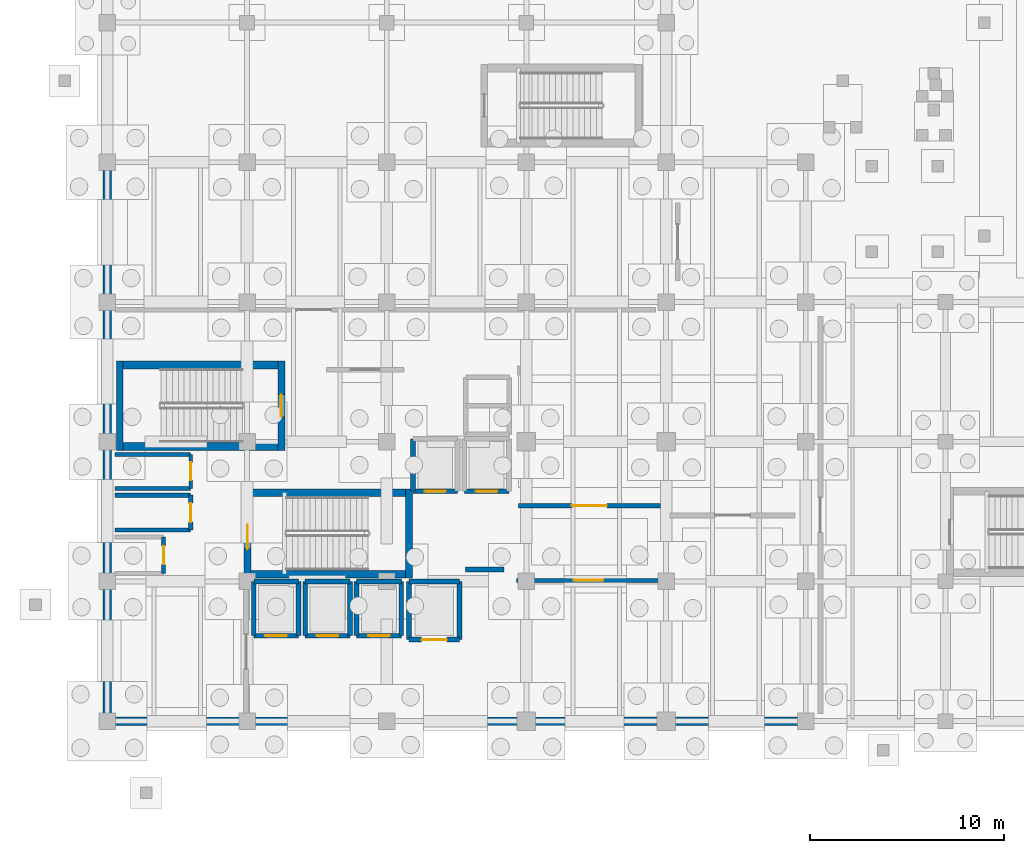
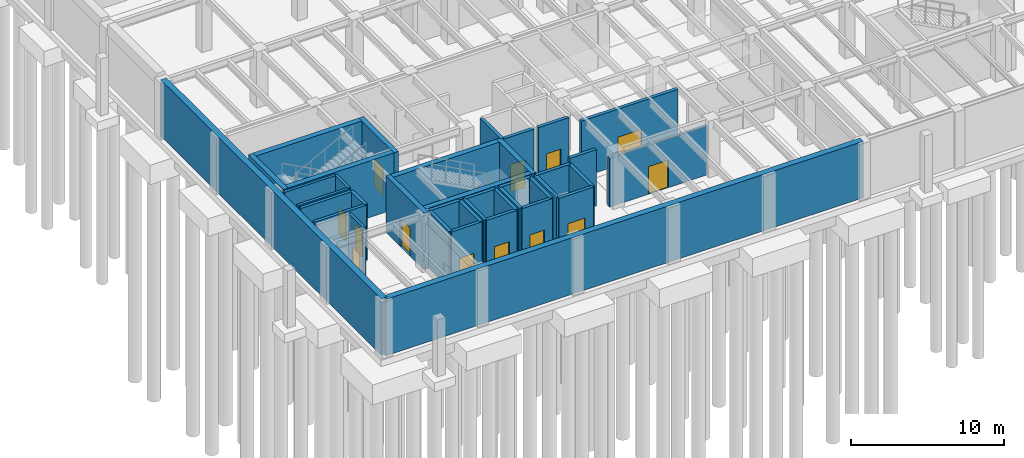
# One storey, part 13 of 26: 39 walls, 13 doors, 13 openings.
"""IFC4 building model written with IfcOpenShell, lengths in metres."""

import ifcopenshell
import ifcopenshell.guid

model = None  # the IFC model being written
_history = None  # IfcOwnerHistory: only IFC2X3 demands one
_inside = {}  # id of a spatial element -> (the spatial element, [elements in it])
_under = {}  # id of a project, library or spatial element -> (it, [spatial elements below it])
_declared = {}  # id of a project -> (the project, [libraries it declares])
_typed = {}  # id of a type object -> (the type object, [elements of that type])
_made_of = {}  # id of a material, layer set ... -> (it, [elements and type objects made of it])


def new_model(schema):
    """Start an empty IFC model of exactly this schema.

    Asked for "IFC4X3", IfcOpenShell would pick the latest addendum, in which some entities
    have other attributes; the version numbers below select the first issue.
    IFC2X3 requires an IfcOwnerHistory on every rooted entity: one is made here for all.
    """
    global model, _history
    if schema == "IFC4X3":
        model = ifcopenshell.file(schema_version=(4, 3, 0, 0))
    else:
        model = ifcopenshell.file(schema=schema)
    _inside.clear()
    _under.clear()
    _declared.clear()
    _typed.clear()
    _made_of.clear()
    _history = None
    if model.schema == "IFC2X3":
        org = make("IfcOrganization", Name="unknown")
        user = make(
            "IfcPersonAndOrganization",
            ThePerson=make("IfcPerson", FamilyName="unknown"),
            TheOrganization=org,
        )
        app = make(
            "IfcApplication",
            ApplicationDeveloper=org,
            Version="unknown",
            ApplicationFullName="unknown",
            ApplicationIdentifier="unknown",
        )
        _history = make(
            "IfcOwnerHistory",
            OwningUser=user,
            OwningApplication=app,
            ChangeAction="ADDED",
            CreationDate=0,
        )
    return model


def make(cls, **values):
    """One entity of the class cls with the attributes given. An attribute that is None is left unset."""
    return model.create_entity(
        cls, **{name: value for name, value in values.items() if value is not None}
    )


def rooted(cls, **values):
    """An entity with a GlobalId (a new one), such as an element, a storey or a relation."""
    return make(cls, GlobalId=ifcopenshell.guid.new(), OwnerHistory=_history, **values)


def si_unit(unit_type, name, prefix=None):
    """IfcSIUnit, for example si_unit("LENGTHUNIT", "METRE", prefix="MILLI")."""
    return make("IfcSIUnit", UnitType=unit_type, Prefix=prefix, Name=name)


def assignment(units):
    """IfcUnitAssignment: the units of a project."""
    return None if units is None else make("IfcUnitAssignment", Units=units)


def point(xyz):
    """IfcCartesianPoint."""
    return None if xyz is None else make("IfcCartesianPoint", Coordinates=xyz)


def direction(xyz):
    """IfcDirection."""
    return None if xyz is None else make("IfcDirection", DirectionRatios=xyz)


def frame(location, z_axis=None, x_axis=None):
    """IfcAxis2Placement3D, a coordinate frame: its origin and axes. An axis left out is left unset."""
    return make(
        "IfcAxis2Placement3D",
        Location=point(location),
        Axis=direction(z_axis),
        RefDirection=direction(x_axis),
    )


def frame_2d(location, x_axis=None):
    """IfcAxis2Placement2D, a coordinate frame in the plane: its origin and x axis."""
    return make(
        "IfcAxis2Placement2D", Location=point(location), RefDirection=direction(x_axis)
    )


def origin():
    """The frame at (0, 0, 0) with its axes left unset."""
    return frame((0.0, 0.0, 0.0))


def place(relative_to, where):
    """IfcLocalPlacement: puts the frame where relative to a parent placement (None: the world)."""
    return make(
        "IfcLocalPlacement", PlacementRelTo=relative_to, RelativePlacement=where
    )


def context(
    kind, dimensions, precision=None, world=None, true_north=None, identifier=None
):
    """IfcGeometricRepresentationContext, for example the 3D "Model" context."""
    return make(
        "IfcGeometricRepresentationContext",
        ContextIdentifier=identifier,
        ContextType=kind,
        CoordinateSpaceDimension=dimensions,
        Precision=precision,
        WorldCoordinateSystem=world,
        TrueNorth=true_north,
    )


def subcontext(parent, identifier, kind, view, scale=None):
    """IfcGeometricRepresentationSubContext, for example "Body" below "Model"."""
    return make(
        "IfcGeometricRepresentationSubContext",
        ContextIdentifier=identifier,
        ContextType=kind,
        ParentContext=parent,
        TargetScale=scale,
        TargetView=view,
    )


def project(units=None, contexts=None):
    """IfcProject with its units and contexts."""
    return rooted(
        "IfcProject",
        Name="project",
        RepresentationContexts=contexts,
        UnitsInContext=assignment(units),
    )


def spatial(cls, under=None, at=None, **own):
    """A site, building, storey or space (cls), placed at a placement, below another one or the project."""
    s = rooted(cls, ObjectPlacement=at, **own)
    if under is not None:
        _under.setdefault(under.id(), (under, []))[1].append(s)
    return s


def profile(cls, at=None, kind="AREA", **sizes):
    """A parametric profile (cls). Its sizes go by their IFC names, for example OverallWidth=200.0."""
    return make(cls, ProfileType=kind, Position=at, **sizes)


def rectangle(**sizes):
    """IfcRectangleProfileDef."""
    return profile("IfcRectangleProfileDef", **sizes)


def extrude(swept, where, along, depth):
    """IfcExtrudedAreaSolid: the profile swept, set in the frame where, extruded along a direction by depth."""
    return make(
        "IfcExtrudedAreaSolid",
        SweptArea=swept,
        Position=where,
        ExtrudedDirection=direction(along),
        Depth=depth,
    )


def shape(context_of_items, identifier, shape_type, items):
    """IfcShapeRepresentation: the items that make up one representation, for example the "Body"."""
    return make(
        "IfcShapeRepresentation",
        ContextOfItems=context_of_items,
        RepresentationIdentifier=identifier,
        RepresentationType=shape_type,
        Items=items,
    )


def material(Name=None, Category=None):
    """IfcMaterial."""
    return make("IfcMaterial", Name=Name, Category=Category)


def layer(
    of_material, thickness, ventilated=None, Name=None, Category=None, Priority=None
):
    """IfcMaterialLayer: one layer of a wall or slab, of a material (None: an air gap)."""
    return make(
        "IfcMaterialLayer",
        Material=of_material,
        LayerThickness=thickness,
        IsVentilated=ventilated,
        Name=Name,
        Category=Category,
        Priority=Priority,
    )


def layer_set(layers, Name=None):
    """IfcMaterialLayerSet."""
    return make("IfcMaterialLayerSet", MaterialLayers=layers, LayerSetName=Name)


def made_of(thing, what):
    """Note that an element or type object is made of a material, layer set ...; save() writes the relation."""
    if what is not None:
        _made_of.setdefault(what.id(), (what, []))[1].append(thing)
    return thing


def type_object(cls, material=None, **own):
    """A type object (cls), such as IfcWallType, which elements share."""
    return made_of(rooted(cls, **own), material)


def element(
    cls,
    number,
    at=None,
    inside=None,
    cuts=None,
    type_object=None,
    material=None,
    context=None,
    identifier="Body",
    shape_type=None,
    held_by="IfcProductDefinitionShape",
    body=None,
    shapes=None,
    **own,
):
    """One element of the class cls, such as IfcWall. Its Tag is "e" and its number.

    at: its placement. inside: the storey or other place that contains it. cuts: it is an
    opening in that element (IfcRelVoidsElement). A single representation is given by context,
    identifier, shape_type and body (its items); several are given by shapes. held_by: the class
    of the entity that holds the representations. save() writes the other relations.
    """
    e = rooted(cls, Tag="e%d" % number, ObjectPlacement=at, **own)
    if body is not None:
        shapes = [shape(context, identifier, shape_type, body)]
    if shapes is not None:
        e.Representation = make(held_by, Representations=shapes)
    if inside is not None:
        _inside.setdefault(inside.id(), (inside, []))[1].append(e)
    if cuts is not None:
        rooted(
            "IfcRelVoidsElement", RelatingBuildingElement=cuts, RelatedOpeningElement=e
        )
    if type_object is not None:
        _typed.setdefault(type_object.id(), (type_object, []))[1].append(e)
    return made_of(e, material)


def fill(opening, filler):
    """IfcRelFillsElement: the door or window that sits in an opening."""
    return rooted(
        "IfcRelFillsElement",
        RelatingOpeningElement=opening,
        RelatedBuildingElement=filler,
    )


def aggregate(whole, parts):
    """IfcRelAggregates: a whole, such as a stair, and the parts it consists of."""
    return rooted("IfcRelAggregates", RelatingObject=whole, RelatedObjects=parts)


def save(model, path):
    """Write the relations noted so far, then the file.

    IfcRelAggregates (storeys below a building ...), IfcRelContainedInSpatialStructure (elements
    in a storey), IfcRelDefinesByType, IfcRelAssociatesMaterial and IfcRelDeclares: one each for
    every whole, place, type object, material and project.
    """
    for whole, parts in _under.values():
        aggregate(whole, parts)
    for where, things in _inside.values():
        rooted(
            "IfcRelContainedInSpatialStructure",
            RelatedElements=things,
            RelatingStructure=where,
        )
    for kind, things in _typed.values():
        rooted("IfcRelDefinesByType", RelatedObjects=things, RelatingType=kind)
    for what, things in _made_of.values():
        rooted("IfcRelAssociatesMaterial", RelatedObjects=things, RelatingMaterial=what)
    for by, libraries in _declared.values():
        rooted("IfcRelDeclares", RelatingContext=by, RelatedDefinitions=libraries)
    model.write(path)


model = new_model("IFC4")

# Units and contexts
model_context = context("Model", 3, precision=1e-05, world=origin(), true_north=direction((0.0, 1.0)))
body_context = subcontext(model_context, "Body", "Model", "MODEL_VIEW")
ifc_project = project(units=[si_unit("LENGTHUNIT", "METRE"), si_unit("AREAUNIT", "SQUARE_METRE"), si_unit("VOLUMEUNIT", "CUBIC_METRE"), si_unit("PLANEANGLEUNIT", "RADIAN"), si_unit("MASSUNIT", "GRAM", prefix="KILO")], contexts=[model_context])

# Site, building, storey
site_placement = place(None, origin())
site = spatial("IfcSite", under=ifc_project, at=site_placement, CompositionType="ELEMENT")
building_placement = place(site_placement, origin())
building = spatial("IfcBuilding", under=site, at=building_placement, Name="Kandorven Conservatory and Botanical Research Centre", CompositionType="ELEMENT")
storey_placement = place(building_placement, frame((0.0, 0.0, -4.800048828125)))
storey = spatial("IfcBuildingStorey", under=building, at=storey_placement, Name="B01", CompositionType="ELEMENT", Elevation=-4.800048828125)

# Walls
ifc_material_1 = material(Name="Concrete C40/50 (M50)", Category="concrete")
ifc_layer_1 = layer(ifc_material_1, 0.39990234375)
ifc_layer_set_1 = layer_set([ifc_layer_1], Name="Concrete C40/50 (M50)")
wall_type_1 = type_object("IfcWallType", Name="Wall_CW-RC-1", PredefinedType="SHEAR", material=ifc_layer_set_1)
for number, where, z_axis, x_axis, name in (
    (1, (13.39990234375, 13.574951171875, 0.0), (0.0, 0.0, 1.0), (1.0, 0.0, 0.0), "Core stair shear wall CW-RC-1 ST-T1 B01 side A"),
    (2, (13.39990234375, 17.77490234375, 0.0), (0.0, 0.0, 1.0), (1.0, 0.0, 0.0), "Core stair shear wall CW-RC-1 ST-T1 B01 side B"),
    (3, (14.800048828125, 24.35498046875, 0.0), (0.0, 0.0, 1.0), (-1.0, 0.0, 0.0), "Core stair shear wall CW-RC-1 ST-T2 B01 side A"),
    (4, (14.800048828125, 20.155029296875, 0.0), (0.0, 0.0, 1.0), (-1.0, 0.0, 0.0), "Core stair shear wall CW-RC-1 ST-T2 B01 side B"),
):
    element("IfcWall", number, at=place(storey_placement, frame(where, z_axis=z_axis, x_axis=x_axis)), inside=storey, type_object=wall_type_1, Name=name, PredefinedType="SHEAR", context=body_context, shape_type="SweptSolid", body=[
        extrude(rectangle(XDim=7.97998046875, YDim=0.39990234375, at=frame_2d((3.989990234375, 0.0))), origin(), (0.0, 0.0, 1.0), 4.5),
    ])

# Wall, opening, door
ifc_material_2 = material(Name="Concrete C40/50 (M50)", Category="concrete")
ifc_layer_2 = layer(ifc_material_2, 0.35009765625)
ifc_layer_set_2 = layer_set([ifc_layer_2], Name="Concrete C40/50 (M50)")
wall_type_2 = type_object("IfcWallType", Name="Wall_CW-RC-2", PredefinedType="SHEAR", material=ifc_layer_set_2)
wall_1_placement = place(storey_placement, frame((13.22509765625, 13.0, 0.0), z_axis=(0.0, 0.0, 1.0), x_axis=(0.0, 1.0, 0.0)))
wall_1 = element("IfcWall", 5, at=wall_1_placement, inside=storey, type_object=wall_type_2, Name="Core stair shear wall CW-RC-2 ST-T1 B01 entry", PredefinedType="SHEAR", context=body_context, shape_type="SweptSolid", body=[
    extrude(rectangle(XDim=4.969970703125, YDim=0.35009765625, at=frame_2d((2.48486328125, 0.0))), origin(), (0.0, 0.0, 1.0), 4.5),
])
opening_1_placement = place(wall_1_placement, frame((1.860107421875, 0.0, 0.0)))
opening_1 = element("IfcOpeningElement", 6, at=opening_1_placement, cuts=wall_1, Name="Opening FD-1", PredefinedType="OPENING", context=body_context, shape_type="SweptSolid", body=[
    extrude(rectangle(XDim=1.25, YDim=2.199951171875, at=frame_2d((0.625, 1.10009765625))), frame((0.0, 0.18505859375, 0.0), z_axis=(0.0, -1.0, 0.0), x_axis=(1.0, 0.0, 0.0)), (0.0, 0.0, 1.0), 0.3701171875),
])
ifc_material_3 = material(Name="Galvanised hollow steel fire door assembly", Category="steel")
door_type_1 = type_object("IfcDoorType", Name="Door_FD-1", OperationType="NOTDEFINED", PredefinedType="DOOR", material=ifc_material_3)
door_1_placement = place(opening_1_placement, origin())
door_1 = element("IfcDoor", 7, at=door_1_placement, inside=storey, type_object=door_type_1, Name="Exit stair fire door FD-1 ST-T1 B01", OperationType="SINGLE_SWING_RIGHT", OverallHeight=2.199951171875, OverallWidth=1.25, PredefinedType="DOOR", context=body_context, shape_type="SweptSolid", body=[
    extrude(rectangle(XDim=1.25, YDim=2.199951171875, at=frame_2d((0.625, 1.10009765625))), frame((0.0, 0.02490234375, 0.0), z_axis=(0.0, -1.0, 0.0), x_axis=(1.0, 0.0, 0.0)), (0.0, 0.0, 1.0), 0.050048828125),
])
fill(opening_1, door_1)

# Wall
wall_2_placement = place(storey_placement, frame((21.554931640625, 13.3798828125, 0.0), z_axis=(0.0, 0.0, 1.0), x_axis=(0.0, 1.0, 0.0)))
element("IfcWall", 8, at=wall_2_placement, inside=storey, type_object=wall_type_2, Name="Core stair shear wall CW-RC-2 ST-T1 B01 far", PredefinedType="SHEAR", context=body_context, shape_type="SweptSolid", body=[
    extrude(rectangle(XDim=4.590087890625, YDim=0.35009765625, at=frame_2d((2.294921875, 0.0))), origin(), (0.0, 0.0, 1.0), 4.5),
])

# Wall, opening, door
wall_3_placement = place(storey_placement, frame((14.97509765625, 24.550048828125, 0.0), z_axis=(0.0, 0.0, 1.0), x_axis=(0.0, -1.0, 0.0)))
wall_3 = element("IfcWall", 9, at=wall_3_placement, inside=storey, type_object=wall_type_2, Name="Core stair shear wall CW-RC-2 ST-T2 B01 entry", PredefinedType="SHEAR", context=body_context, shape_type="SweptSolid", body=[
    extrude(rectangle(XDim=4.590087890625, YDim=0.35009765625, at=frame_2d((2.294921875, 0.0))), origin(), (0.0, 0.0, 1.0), 4.5),
])
opening_2_placement = place(wall_3_placement, frame((1.719970703125, 0.0, 0.0)))
opening_2 = element("IfcOpeningElement", 10, at=opening_2_placement, cuts=wall_3, Name="Opening FD-2", PredefinedType="OPENING", context=body_context, shape_type="SweptSolid", body=[
    extrude(rectangle(XDim=1.14990234375, YDim=2.199951171875, at=frame_2d((0.574951171875, 1.10009765625))), frame((0.0, 0.18505859375, 0.0), z_axis=(0.0, -1.0, 0.0), x_axis=(1.0, 0.0, 0.0)), (0.0, 0.0, 1.0), 0.3701171875),
])
ifc_material_4 = material(Name="Galvanised hollow steel fire door assembly", Category="steel")
door_type_2 = type_object("IfcDoorType", Name="Door_FD-2", OperationType="NOTDEFINED", PredefinedType="DOOR", material=ifc_material_4)
door_2_placement = place(opening_2_placement, origin())
door_2 = element("IfcDoor", 11, at=door_2_placement, inside=storey, type_object=door_type_2, Name="Exit stair fire door FD-2 ST-T2 B01", OperationType="SINGLE_SWING_RIGHT", OverallHeight=2.199951171875, OverallWidth=1.14990234375, PredefinedType="DOOR", context=body_context, shape_type="SweptSolid", body=[
    extrude(rectangle(XDim=1.14990234375, YDim=2.199951171875, at=frame_2d((0.574951171875, 1.10009765625))), frame((0.0, 0.02490234375, 0.0), z_axis=(0.0, -1.0, 0.0), x_axis=(1.0, 0.0, 0.0)), (0.0, 0.0, 1.0), 0.050048828125),
])
fill(opening_2, door_2)

# Wall
wall_4_placement = place(storey_placement, frame((6.64501953125, 24.550048828125, 0.0), z_axis=(0.0, 0.0, 1.0), x_axis=(0.0, -1.0, 0.0)))
element("IfcWall", 12, at=wall_4_placement, inside=storey, type_object=wall_type_2, Name="Core stair shear wall CW-RC-2 ST-T2 B01 far", PredefinedType="SHEAR", context=body_context, shape_type="SweptSolid", body=[
    extrude(rectangle(XDim=4.590087890625, YDim=0.35009765625, at=frame_2d((2.294921875, 0.0))), origin(), (0.0, 0.0, 1.0), 4.5),
])

# Wall, opening, door
wall_5_placement = place(storey_placement, frame((21.75, 17.85009765625, 0.0), z_axis=(0.0, 0.0, 1.0), x_axis=(1.0, 0.0, 0.0)))
wall_5 = element("IfcWall", 13, at=wall_5_placement, inside=storey, type_object=wall_type_2, Name="Lift shaft wall FFL-1 B01 S", PredefinedType="SHEAR", context=body_context, shape_type="SweptSolid", body=[
    extrude(rectangle(XDim=2.300048828125, YDim=0.25, at=frame_2d((1.14990234375, 0.0))), origin(), (0.0, 0.0, 1.0), 4.5),
])
opening_3_placement = place(wall_5_placement, frame((0.60009765625, 0.0, 0.0)))
opening_3 = element("IfcOpeningElement", 14, at=opening_3_placement, cuts=wall_5, Name="Opening LD-01", PredefinedType="OPENING", context=body_context, shape_type="SweptSolid", body=[
    extrude(rectangle(XDim=1.10009765625, YDim=2.199951171875, at=frame_2d((0.550048828125, 1.10009765625))), frame((0.0, 0.135009765625, 0.0), z_axis=(0.0, -1.0, 0.0), x_axis=(1.0, 0.0, 0.0)), (0.0, 0.0, 1.0), 0.27001953125),
])
ifc_material_5 = material(Name="Anodised aluminium sliding landing door", Category="aluminium")
door_type_3 = type_object("IfcDoorType", Name="Door_LD-01", OperationType="DOUBLE_DOOR_SLIDING", PredefinedType="DOOR", material=ifc_material_5)
door_3_placement = place(opening_3_placement, origin())
door_3 = element("IfcDoor", 15, at=door_3_placement, inside=storey, type_object=door_type_3, Name="Lift landing sliding door LD-01 (FFL-1 B01)", OperationType="DOUBLE_DOOR_SLIDING", OverallHeight=2.199951171875, OverallWidth=1.10009765625, PredefinedType="DOOR", context=body_context, shape_type="SweptSolid", body=[
    extrude(rectangle(XDim=1.10009765625, YDim=2.199951171875, at=frame_2d((0.550048828125, 1.10009765625))), frame((0.0, 0.02490234375, 0.0), z_axis=(0.0, -1.0, 0.0), x_axis=(1.0, 0.0, 0.0)), (0.0, 0.0, 1.0), 0.050048828125),
])
fill(opening_3, door_3)

# Wall
wall_6_placement = place(storey_placement, frame((21.75, 17.85009765625, 0.0), z_axis=(0.0, 0.0, 1.0), x_axis=(0.0, 1.0, 0.0)))
element("IfcWall", 16, at=wall_6_placement, inside=storey, type_object=wall_type_2, Name="Lift shaft wall FFL-1 B01 W", PredefinedType="SHEAR", context=body_context, shape_type="SweptSolid", body=[
    extrude(rectangle(XDim=2.699951171875, YDim=0.25, at=frame_2d((1.35009765625, 0.0))), origin(), (0.0, 0.0, 1.0), 4.5),
])

# Wall, opening, door
wall_7_placement = place(storey_placement, frame((24.39990234375, 17.85009765625, 0.0), z_axis=(0.0, 0.0, 1.0), x_axis=(1.0, 0.0, 0.0)))
wall_7 = element("IfcWall", 17, at=wall_7_placement, inside=storey, type_object=wall_type_2, Name="Lift shaft wall FFL-2 B01 S", PredefinedType="SHEAR", context=body_context, shape_type="SweptSolid", body=[
    extrude(rectangle(XDim=2.300048828125, YDim=0.25, at=frame_2d((1.14990234375, 0.0))), origin(), (0.0, 0.0, 1.0), 4.5),
])
opening_4_placement = place(wall_7_placement, frame((0.60009765625, 0.0, 0.0)))
opening_4 = element("IfcOpeningElement", 18, at=opening_4_placement, cuts=wall_7, Name="Opening LD-01", PredefinedType="OPENING", context=body_context, shape_type="SweptSolid", body=[
    extrude(rectangle(XDim=1.10009765625, YDim=2.199951171875, at=frame_2d((0.550048828125, 1.10009765625))), frame((0.0, 0.135009765625, 0.0), z_axis=(0.0, -1.0, 0.0), x_axis=(1.0, 0.0, 0.0)), (0.0, 0.0, 1.0), 0.27001953125),
])
door_4_placement = place(opening_4_placement, origin())
door_4 = element("IfcDoor", 19, at=door_4_placement, inside=storey, type_object=door_type_3, Name="Lift landing sliding door LD-01 (FFL-2 B01)", OperationType="DOUBLE_DOOR_SLIDING", OverallHeight=2.199951171875, OverallWidth=1.10009765625, PredefinedType="DOOR", context=body_context, shape_type="SweptSolid", body=[
    extrude(rectangle(XDim=1.10009765625, YDim=2.199951171875, at=frame_2d((0.550048828125, 1.10009765625))), frame((0.0, 0.02490234375, 0.0), z_axis=(0.0, -1.0, 0.0), x_axis=(1.0, 0.0, 0.0)), (0.0, 0.0, 1.0), 0.050048828125),
])
fill(opening_4, door_4)

wall_8_placement = place(storey_placement, frame((13.550048828125, 10.39990234375, 0.0), z_axis=(0.0, 0.0, 1.0), x_axis=(1.0, 0.0, 0.0)))
wall_8 = element("IfcWall", 20, at=wall_8_placement, inside=storey, type_object=wall_type_2, Name="Lift shaft wall PL-1 B01 S", PredefinedType="SHEAR", context=body_context, shape_type="SweptSolid", body=[
    extrude(rectangle(XDim=2.300048828125, YDim=0.25, at=frame_2d((1.14990234375, 0.0))), origin(), (0.0, 0.0, 1.0), 4.5),
])
opening_5_placement = place(wall_8_placement, frame((0.60009765625, 0.0, 0.0)))
opening_5 = element("IfcOpeningElement", 21, at=opening_5_placement, cuts=wall_8, Name="Opening LD-01", PredefinedType="OPENING", context=body_context, shape_type="SweptSolid", body=[
    extrude(rectangle(XDim=1.10009765625, YDim=2.199951171875, at=frame_2d((0.550048828125, 1.10009765625))), frame((0.0, 0.135009765625, 0.0), z_axis=(0.0, -1.0, 0.0), x_axis=(1.0, 0.0, 0.0)), (0.0, 0.0, 1.0), 0.27001953125),
])
door_5_placement = place(opening_5_placement, origin())
door_5 = element("IfcDoor", 22, at=door_5_placement, inside=storey, type_object=door_type_3, Name="Lift landing sliding door LD-01 (PL-1 B01)", OperationType="DOUBLE_DOOR_SLIDING", OverallHeight=2.199951171875, OverallWidth=1.10009765625, PredefinedType="DOOR", context=body_context, shape_type="SweptSolid", body=[
    extrude(rectangle(XDim=1.10009765625, YDim=2.199951171875, at=frame_2d((0.550048828125, 1.10009765625))), frame((0.0, 0.02490234375, 0.0), z_axis=(0.0, -1.0, 0.0), x_axis=(1.0, 0.0, 0.0)), (0.0, 0.0, 1.0), 0.050048828125),
])
fill(opening_5, door_5)

# Walls
wall_9_placement = place(storey_placement, frame((13.550048828125, 13.199951171875, 0.0), z_axis=(0.0, 0.0, 1.0), x_axis=(1.0, 0.0, 0.0)))
element("IfcWall", 23, at=wall_9_placement, inside=storey, type_object=wall_type_2, Name="Lift shaft wall PL-1 B01 N", PredefinedType="SHEAR", context=body_context, shape_type="SweptSolid", body=[
    extrude(rectangle(XDim=2.300048828125, YDim=0.25, at=frame_2d((1.14990234375, 0.0))), origin(), (0.0, 0.0, 1.0), 4.5),
])
for number, where, z_axis, x_axis, name in (
    (24, (13.550048828125, 10.39990234375, 0.0), (0.0, 0.0, 1.0), (0.0, 1.0, 0.0), "Lift shaft wall PL-1 B01 W"),
    (25, (15.85009765625, 10.39990234375, 0.0), (0.0, 0.0, 1.0), (0.0, 1.0, 0.0), "Lift shaft wall PL-1 B01 E"),
):
    element("IfcWall", number, at=place(storey_placement, frame(where, z_axis=z_axis, x_axis=x_axis)), inside=storey, type_object=wall_type_2, Name=name, PredefinedType="SHEAR", context=body_context, shape_type="SweptSolid", body=[
        extrude(rectangle(XDim=2.800048828125, YDim=0.25, at=frame_2d((1.39990234375, 0.0))), origin(), (0.0, 0.0, 1.0), 4.5),
    ])

# Wall, opening, door
wall_10_placement = place(storey_placement, frame((16.199951171875, 10.39990234375, 0.0), z_axis=(0.0, 0.0, 1.0), x_axis=(1.0, 0.0, 0.0)))
wall_10 = element("IfcWall", 26, at=wall_10_placement, inside=storey, type_object=wall_type_2, Name="Lift shaft wall PL-2 B01 S", PredefinedType="SHEAR", context=body_context, shape_type="SweptSolid", body=[
    extrude(rectangle(XDim=2.300048828125, YDim=0.25, at=frame_2d((1.14990234375, 0.0))), origin(), (0.0, 0.0, 1.0), 4.5),
])
opening_6_placement = place(wall_10_placement, frame((0.60009765625, 0.0, 0.0)))
opening_6 = element("IfcOpeningElement", 27, at=opening_6_placement, cuts=wall_10, Name="Opening LD-01", PredefinedType="OPENING", context=body_context, shape_type="SweptSolid", body=[
    extrude(rectangle(XDim=1.10009765625, YDim=2.199951171875, at=frame_2d((0.550048828125, 1.10009765625))), frame((0.0, 0.135009765625, 0.0), z_axis=(0.0, -1.0, 0.0), x_axis=(1.0, 0.0, 0.0)), (0.0, 0.0, 1.0), 0.27001953125),
])
door_6_placement = place(opening_6_placement, origin())
door_6 = element("IfcDoor", 28, at=door_6_placement, inside=storey, type_object=door_type_3, Name="Lift landing sliding door LD-01 (PL-2 B01)", OperationType="DOUBLE_DOOR_SLIDING", OverallHeight=2.199951171875, OverallWidth=1.10009765625, PredefinedType="DOOR", context=body_context, shape_type="SweptSolid", body=[
    extrude(rectangle(XDim=1.10009765625, YDim=2.199951171875, at=frame_2d((0.550048828125, 1.10009765625))), frame((0.0, 0.02490234375, 0.0), z_axis=(0.0, -1.0, 0.0), x_axis=(1.0, 0.0, 0.0)), (0.0, 0.0, 1.0), 0.050048828125),
])
fill(opening_6, door_6)

# Walls
wall_11_placement = place(storey_placement, frame((16.199951171875, 13.199951171875, 0.0), z_axis=(0.0, 0.0, 1.0), x_axis=(1.0, 0.0, 0.0)))
element("IfcWall", 29, at=wall_11_placement, inside=storey, type_object=wall_type_2, Name="Lift shaft wall PL-2 B01 N", PredefinedType="SHEAR", context=body_context, shape_type="SweptSolid", body=[
    extrude(rectangle(XDim=2.300048828125, YDim=0.25, at=frame_2d((1.14990234375, 0.0))), origin(), (0.0, 0.0, 1.0), 4.5),
])
for number, where, z_axis, x_axis, name in (
    (30, (16.199951171875, 10.39990234375, 0.0), (0.0, 0.0, 1.0), (0.0, 1.0, 0.0), "Lift shaft wall PL-2 B01 W"),
    (31, (18.5, 10.39990234375, 0.0), (0.0, 0.0, 1.0), (0.0, 1.0, 0.0), "Lift shaft wall PL-2 B01 E"),
):
    element("IfcWall", number, at=place(storey_placement, frame(where, z_axis=z_axis, x_axis=x_axis)), inside=storey, type_object=wall_type_2, Name=name, PredefinedType="SHEAR", context=body_context, shape_type="SweptSolid", body=[
        extrude(rectangle(XDim=2.800048828125, YDim=0.25, at=frame_2d((1.39990234375, 0.0))), origin(), (0.0, 0.0, 1.0), 4.5),
    ])

# Wall, opening, door
wall_12_placement = place(storey_placement, frame((18.85009765625, 10.39990234375, 0.0), z_axis=(0.0, 0.0, 1.0), x_axis=(1.0, 0.0, 0.0)))
wall_12 = element("IfcWall", 32, at=wall_12_placement, inside=storey, type_object=wall_type_2, Name="Lift shaft wall PL-3 B01 S", PredefinedType="SHEAR", context=body_context, shape_type="SweptSolid", body=[
    extrude(rectangle(XDim=2.2998046875, YDim=0.25, at=frame_2d((1.14990234375, 0.0))), origin(), (0.0, 0.0, 1.0), 4.5),
])
opening_7_placement = place(wall_12_placement, frame((0.60009765625, 0.0, 0.0)))
opening_7 = element("IfcOpeningElement", 33, at=opening_7_placement, cuts=wall_12, Name="Opening LD-01", PredefinedType="OPENING", context=body_context, shape_type="SweptSolid", body=[
    extrude(rectangle(XDim=1.10009765625, YDim=2.199951171875, at=frame_2d((0.550048828125, 1.10009765625))), frame((0.0, 0.135009765625, 0.0), z_axis=(0.0, -1.0, 0.0), x_axis=(1.0, 0.0, 0.0)), (0.0, 0.0, 1.0), 0.27001953125),
])
door_7_placement = place(opening_7_placement, origin())
door_7 = element("IfcDoor", 34, at=door_7_placement, inside=storey, type_object=door_type_3, Name="Lift landing sliding door LD-01 (PL-3 B01)", OperationType="DOUBLE_DOOR_SLIDING", OverallHeight=2.199951171875, OverallWidth=1.10009765625, PredefinedType="DOOR", context=body_context, shape_type="SweptSolid", body=[
    extrude(rectangle(XDim=1.10009765625, YDim=2.199951171875, at=frame_2d((0.550048828125, 1.10009765625))), frame((0.0, 0.02490234375, 0.0), z_axis=(0.0, -1.0, 0.0), x_axis=(1.0, 0.0, 0.0)), (0.0, 0.0, 1.0), 0.050048828125),
])
fill(opening_7, door_7)

# Walls
wall_13_placement = place(storey_placement, frame((18.85009765625, 13.199951171875, 0.0), z_axis=(0.0, 0.0, 1.0), x_axis=(1.0, 0.0, 0.0)))
element("IfcWall", 35, at=wall_13_placement, inside=storey, type_object=wall_type_2, Name="Lift shaft wall PL-3 B01 N", PredefinedType="SHEAR", context=body_context, shape_type="SweptSolid", body=[
    extrude(rectangle(XDim=2.2998046875, YDim=0.25, at=frame_2d((1.14990234375, 0.0))), origin(), (0.0, 0.0, 1.0), 4.5),
])
for number, where, z_axis, x_axis, name in (
    (36, (18.85009765625, 10.39990234375, 0.0), (0.0, 0.0, 1.0), (0.0, 1.0, 0.0), "Lift shaft wall PL-3 B01 W"),
    (37, (21.14990234375, 10.39990234375, 0.0), (0.0, 0.0, 1.0), (0.0, 1.0, 0.0), "Lift shaft wall PL-3 B01 E"),
):
    element("IfcWall", number, at=place(storey_placement, frame(where, z_axis=z_axis, x_axis=x_axis)), inside=storey, type_object=wall_type_2, Name=name, PredefinedType="SHEAR", context=body_context, shape_type="SweptSolid", body=[
        extrude(rectangle(XDim=2.800048828125, YDim=0.25, at=frame_2d((1.39990234375, 0.0))), origin(), (0.0, 0.0, 1.0), 4.5),
    ])

# Wall, opening, door
wall_14_placement = place(storey_placement, frame((21.550048828125, 10.199951171875, 0.0), z_axis=(0.0, 0.0, 1.0), x_axis=(1.0, 0.0, 0.0)))
wall_14 = element("IfcWall", 38, at=wall_14_placement, inside=storey, type_object=wall_type_2, Name="Lift shaft wall GL-1 B01 S", PredefinedType="SHEAR", context=body_context, shape_type="SweptSolid", body=[
    extrude(rectangle(XDim=2.599853515625, YDim=0.25, at=frame_2d((1.2998046875, 0.0))), origin(), (0.0, 0.0, 1.0), 4.5),
])
opening_8_placement = place(wall_14_placement, frame((0.64990234375, 0.0, 0.0)))
opening_8 = element("IfcOpeningElement", 39, at=opening_8_placement, cuts=wall_14, Name="Opening LD-02", PredefinedType="OPENING", context=body_context, shape_type="SweptSolid", body=[
    extrude(rectangle(XDim=1.300048828125, YDim=2.25, at=frame_2d((0.64990234375, 1.125))), frame((0.0, 0.135009765625, 0.0), z_axis=(0.0, -1.0, 0.0), x_axis=(1.0, 0.0, 0.0)), (0.0, 0.0, 1.0), 0.27001953125),
])
ifc_material_6 = material(Name="Anodised aluminium sliding landing door", Category="aluminium")
door_type_4 = type_object("IfcDoorType", Name="Door_LD-02", OperationType="DOUBLE_DOOR_SLIDING", PredefinedType="DOOR", material=ifc_material_6)
door_8_placement = place(opening_8_placement, origin())
door_8 = element("IfcDoor", 40, at=door_8_placement, inside=storey, type_object=door_type_4, Name="Lift landing sliding door LD-02 (GL-1 B01)", OperationType="DOUBLE_DOOR_SLIDING", OverallHeight=2.25, OverallWidth=1.300048828125, PredefinedType="DOOR", context=body_context, shape_type="SweptSolid", body=[
    extrude(rectangle(XDim=1.300048828125, YDim=2.25, at=frame_2d((0.64990234375, 1.125))), frame((0.0, 0.02490234375, 0.0), z_axis=(0.0, -1.0, 0.0), x_axis=(1.0, 0.0, 0.0)), (0.0, 0.0, 1.0), 0.050048828125),
])
fill(opening_8, door_8)

# Walls
wall_15_placement = place(storey_placement, frame((21.550048828125, 13.199951171875, 0.0), z_axis=(0.0, 0.0, 1.0), x_axis=(1.0, 0.0, 0.0)))
element("IfcWall", 41, at=wall_15_placement, inside=storey, type_object=wall_type_2, Name="Lift shaft wall GL-1 B01 N", PredefinedType="SHEAR", context=body_context, shape_type="SweptSolid", body=[
    extrude(rectangle(XDim=2.599853515625, YDim=0.25, at=frame_2d((1.2998046875, 0.0))), origin(), (0.0, 0.0, 1.0), 4.5),
])
for number, where, z_axis, x_axis, name in (
    (42, (21.550048828125, 10.199951171875, 0.0), (0.0, 0.0, 1.0), (0.0, 1.0, 0.0), "Lift shaft wall GL-1 B01 W"),
    (43, (24.14990234375, 10.199951171875, 0.0), (0.0, 0.0, 1.0), (0.0, 1.0, 0.0), "Lift shaft wall GL-1 B01 E"),
):
    element("IfcWall", number, at=place(storey_placement, frame(where, z_axis=z_axis, x_axis=x_axis)), inside=storey, type_object=wall_type_2, Name=name, PredefinedType="SHEAR", context=body_context, shape_type="SweptSolid", body=[
        extrude(rectangle(XDim=3.0, YDim=0.25, at=frame_2d((1.5, 0.0))), origin(), (0.0, 0.0, 1.0), 4.5),
    ])
ifc_material_7 = material(Name="Concrete C32/40 (M40)", Category="concrete")
ifc_layer_3 = layer(ifc_material_7, 0.25)
ifc_layer_set_3 = layer_set([ifc_layer_3], Name="Concrete C32/40 (M40)")
wall_type_3 = type_object("IfcWallType", Name="Wall_IW-FR-1", PredefinedType="SOLIDWALL", material=ifc_layer_set_3)
wall_16_placement = place(storey_placement, frame((24.449951171875, 13.820068359375, 0.0), z_axis=(0.0, 0.0, 1.0), x_axis=(1.0, 0.0, 0.0)))
element("IfcWall", 44, at=wall_16_placement, inside=storey, type_object=wall_type_3, Name="Interior fire partition wall IW-FR-1 (Firefighting Lift Lobby B01)", PredefinedType="SOLIDWALL", context=body_context, shape_type="SweptSolid", body=[
    extrude(rectangle(XDim=2.0, YDim=0.25, at=frame_2d((1.0, 0.0))), origin(), (0.0, 0.0, 1.0), 4.47998046875),
])

# Wall, opening, door
wall_17_placement = place(storey_placement, frame((27.199951171875, 17.10009765625, 0.0), z_axis=(0.0, 0.0, 1.0), x_axis=(1.0, 0.0, 0.0)))
wall_17 = element("IfcWall", 45, at=wall_17_placement, inside=storey, type_object=wall_type_3, Name="Interior fire partition wall IW-FR-1 (Botanical Specimen Pressing Room B01)", PredefinedType="SOLIDWALL", context=body_context, shape_type="SweptSolid", body=[
    extrude(rectangle(XDim=7.300048828125, YDim=0.25, at=frame_2d((3.64990234375, 0.0))), origin(), (0.0, 0.0, 1.0), 4.47998046875),
])
opening_9_placement = place(wall_17_placement, frame((2.75, 0.0, 0.0)))
opening_9 = element("IfcOpeningElement", 46, at=opening_9_placement, cuts=wall_17, Name="Opening FD-4", PredefinedType="OPENING", context=body_context, shape_type="SweptSolid", body=[
    extrude(rectangle(XDim=1.800048828125, YDim=2.25, at=frame_2d((0.89990234375, 1.125))), frame((0.0, 0.135009765625, 0.0), z_axis=(0.0, -1.0, 0.0), x_axis=(1.0, 0.0, 0.0)), (0.0, 0.0, 1.0), 0.27001953125),
])
ifc_material_8 = material(Name="Galvanised hollow steel fire door assembly", Category="steel")
door_type_5 = type_object("IfcDoorType", Name="Door_FD-4", OperationType="NOTDEFINED", PredefinedType="DOOR", material=ifc_material_8)
door_9_placement = place(opening_9_placement, origin())
door_9 = element("IfcDoor", 47, at=door_9_placement, inside=storey, type_object=door_type_5, Name="Interior door FD-4 to Botanical Specimen Pressing Room B01", OperationType="DOUBLE_DOOR_SINGLE_SWING", OverallHeight=2.25, OverallWidth=1.800048828125, PredefinedType="DOOR", context=body_context, shape_type="SweptSolid", body=[
    extrude(rectangle(XDim=1.800048828125, YDim=2.25, at=frame_2d((0.89990234375, 1.125))), frame((0.0, 0.02490234375, 0.0), z_axis=(0.0, -1.0, 0.0), x_axis=(1.0, 0.0, 0.0)), (0.0, 0.0, 1.0), 0.050048828125),
])
fill(opening_9, door_9)

ifc_material_9 = material(Name="Concrete C32/40 (M40)", Category="concrete")
ifc_layer_4 = layer(ifc_material_9, 0.22509765625)
ifc_layer_set_4 = layer_set([ifc_layer_4], Name="Concrete C32/40 (M40)")
wall_type_4 = type_object("IfcWallType", Name="Wall_IW-FR-2", PredefinedType="SOLIDWALL", material=ifc_layer_set_4)
wall_18_placement = place(storey_placement, frame((27.10009765625, 13.25, 0.0), z_axis=(0.0, 0.0, 1.0), x_axis=(1.0, 0.0, 0.0)))
wall_18 = element("IfcWall", 48, at=wall_18_placement, inside=storey, type_object=wall_type_4, Name="Interior fire partition wall IW-FR-2 (Cryopreservation Liquid Nitrogen Vault)", PredefinedType="SOLIDWALL", context=body_context, shape_type="SweptSolid", body=[
    extrude(rectangle(XDim=7.39990234375, YDim=0.22509765625, at=frame_2d((3.699951171875, 0.0))), origin(), (0.0, 0.0, 1.0), 3.89013671875),
])
opening_10_placement = place(wall_18_placement, frame((2.949951171875, 0.0, 0.0)))
opening_10 = element("IfcOpeningElement", 49, at=opening_10_placement, cuts=wall_18, Name="Opening FD-3", PredefinedType="OPENING", context=body_context, shape_type="SweptSolid", body=[
    extrude(rectangle(XDim=1.5, YDim=2.199951171875, at=frame_2d((0.75, 1.10009765625))), frame((0.0, 0.12255859375, 0.0), z_axis=(0.0, -1.0, 0.0), x_axis=(1.0, 0.0, 0.0)), (0.0, 0.0, 1.0), 0.2451171875),
])
ifc_material_10 = material(Name="Galvanised hollow steel fire door assembly", Category="steel")
door_type_6 = type_object("IfcDoorType", Name="Door_FD-3", OperationType="NOTDEFINED", PredefinedType="DOOR", material=ifc_material_10)
door_10_placement = place(opening_10_placement, frame((1.5, 0.0, 0.0), z_axis=(0.0, 0.0, 1.0), x_axis=(-1.0, 0.0, 0.0)))
door_10 = element("IfcDoor", 50, at=door_10_placement, inside=storey, type_object=door_type_6, Name="Interior door FD-3 to Cryopreservation Liquid Nitrogen Vault", OperationType="SINGLE_SWING_LEFT", OverallHeight=2.199951171875, OverallWidth=1.5, PredefinedType="DOOR", context=body_context, shape_type="SweptSolid", body=[
    extrude(rectangle(XDim=1.5, YDim=2.199951171875, at=frame_2d((0.75, 1.10009765625))), frame((0.0, 0.02490234375, 0.0), z_axis=(0.0, -1.0, 0.0), x_axis=(1.0, 0.0, 0.0)), (0.0, 0.0, 1.0), 0.050048828125),
])
fill(opening_10, door_10)

ifc_material_11 = material(Name="Autoclaved aerated concrete blockwork masonry", Category="masonry")
ifc_layer_5 = layer(ifc_material_11, 0.22998046875)
ifc_layer_set_5 = layer_set([ifc_layer_5], Name="Autoclaved aerated concrete blockwork masonry")
wall_type_5 = type_object("IfcWallType", Name="Wall_PW-PL-1", PredefinedType="PLUMBINGWALL", material=ifc_layer_set_5)
wall_19_placement = place(storey_placement, frame((10.300048828125, 15.85009765625, 0.0), z_axis=(0.0, 0.0, 1.0), x_axis=(0.0, 1.0, 0.0)))
wall_19 = element("IfcWall", 51, at=wall_19_placement, inside=storey, type_object=wall_type_5, Name="Interior partition wall PW-PL-1 (Public Female WC B01)", PredefinedType="PLUMBINGWALL", context=body_context, shape_type="SweptSolid", body=[
    extrude(rectangle(XDim=1.7998046875, YDim=0.22998046875, at=frame_2d((0.89990234375, 0.0))), origin(), (0.0, 0.0, 1.0), 4.47998046875),
])
opening_11_placement = place(wall_19_placement, frame((0.409912109375, 0.0, 0.0)))
opening_11 = element("IfcOpeningElement", 52, at=opening_11_placement, cuts=wall_19, Name="Opening D-12", PredefinedType="OPENING", context=body_context, shape_type="SweptSolid", body=[
    extrude(rectangle(XDim=0.97998046875, YDim=2.10009765625, at=frame_2d((0.489990234375, 1.050048828125))), frame((0.0, 0.125, 0.0), z_axis=(0.0, -1.0, 0.0), x_axis=(1.0, 0.0, 0.0)), (0.0, 0.0, 1.0), 0.25),
])
ifc_material_12 = material(Name="Solid core acoustic teak-veneered timber leaf", Category="wood")
door_type_7 = type_object("IfcDoorType", Name="Door_D-12", OperationType="NOTDEFINED", PredefinedType="DOOR", material=ifc_material_12)
door_11_placement = place(opening_11_placement, frame((0.97998046875, 0.0, 0.0), z_axis=(0.0, 0.0, 1.0), x_axis=(-1.0, 0.0, 0.0)))
door_11 = element("IfcDoor", 53, at=door_11_placement, inside=storey, type_object=door_type_7, Name="Interior door D-12 to Public Female WC B01", OperationType="SINGLE_SWING_RIGHT", OverallHeight=2.10009765625, OverallWidth=0.97998046875, PredefinedType="DOOR", context=body_context, shape_type="SweptSolid", body=[
    extrude(rectangle(XDim=0.97998046875, YDim=2.10009765625, at=frame_2d((0.489990234375, 1.050048828125))), frame((0.0, 0.02490234375, 0.0), z_axis=(0.0, -1.0, 0.0), x_axis=(1.0, 0.0, 0.0)), (0.0, 0.0, 1.0), 0.050048828125),
])
fill(opening_11, door_11)

# Walls
for number, where, z_axis, x_axis, name in (
    (54, (6.39990234375, 15.85009765625, 0.0), (0.0, 0.0, 1.0), (1.0, 0.0, 0.0), "Sanitary enclosure wall PW-PL-1 (Public Female WC B01 S)"),
    (55, (6.39990234375, 17.64990234375, 0.0), (0.0, 0.0, 1.0), (1.0, 0.0, 0.0), "Sanitary enclosure wall PW-PL-1 (Public Female WC B01 N)"),
):
    element("IfcWall", number, at=place(storey_placement, frame(where, z_axis=z_axis, x_axis=x_axis)), inside=storey, type_object=wall_type_5, Name=name, PredefinedType="PLUMBINGWALL", context=body_context, shape_type="SweptSolid", body=[
        extrude(rectangle(XDim=3.900146484375, YDim=0.22998046875, at=frame_2d((1.9501953125, 0.0))), origin(), (0.0, 0.0, 1.0), 4.47998046875),
    ])

# Wall, opening, door
ifc_material_13 = material(Name="Autoclaved aerated concrete blockwork masonry", Category="masonry")
ifc_layer_6 = layer(ifc_material_13, 0.205078125)
ifc_layer_set_6 = layer_set([ifc_layer_6], Name="Autoclaved aerated concrete blockwork masonry")
wall_type_6 = type_object("IfcWallType", Name="Wall_PW-PL-2", PredefinedType="PLUMBINGWALL", material=ifc_layer_set_6)
wall_20_placement = place(storey_placement, frame((8.89990234375, 13.60009765625, 0.0), z_axis=(0.0, 0.0, 1.0), x_axis=(0.0, 1.0, 0.0)))
wall_20 = element("IfcWall", 56, at=wall_20_placement, inside=storey, type_object=wall_type_6, Name="Interior partition wall PW-PL-2 (Accessible WC B01)", PredefinedType="PLUMBINGWALL", context=body_context, shape_type="SweptSolid", body=[
    extrude(rectangle(XDim=1.89990234375, YDim=0.205078125, at=frame_2d((0.949951171875, 0.0))), origin(), (0.0, 0.0, 1.0), 4.47998046875),
])
opening_12_placement = place(wall_20_placement, frame((0.47509765625, 0.0, 0.0)))
opening_12 = element("IfcOpeningElement", 57, at=opening_12_placement, cuts=wall_20, Name="Opening D-01", PredefinedType="OPENING", context=body_context, shape_type="SweptSolid", body=[
    extrude(rectangle(XDim=0.949951171875, YDim=2.14990234375, at=frame_2d((0.47509765625, 1.074951171875))), frame((0.0, 0.112548828125, 0.0), z_axis=(0.0, -1.0, 0.0), x_axis=(1.0, 0.0, 0.0)), (0.0, 0.0, 1.0), 0.22509765625),
])
ifc_material_14 = material(Name="Solid core acoustic teak-veneered timber leaf", Category="wood")
door_type_8 = type_object("IfcDoorType", Name="Door_D-01", OperationType="NOTDEFINED", PredefinedType="DOOR", material=ifc_material_14)
door_12_placement = place(opening_12_placement, origin())
door_12 = element("IfcDoor", 58, at=door_12_placement, inside=storey, type_object=door_type_8, Name="Interior door D-01 to Accessible WC B01", OperationType="SINGLE_SWING_LEFT", OverallHeight=2.14990234375, OverallWidth=0.949951171875, PredefinedType="DOOR", context=body_context, shape_type="SweptSolid", body=[
    extrude(rectangle(XDim=0.949951171875, YDim=2.14990234375, at=frame_2d((0.47509765625, 1.074951171875))), frame((0.0, 0.02490234375, 0.0), z_axis=(0.0, -1.0, 0.0), x_axis=(1.0, 0.0, 0.0)), (0.0, 0.0, 1.0), 0.050048828125),
])
fill(opening_12, door_12)

wall_21_placement = place(storey_placement, frame((10.300048828125, 18.0, 0.0), z_axis=(0.0, 0.0, 1.0), x_axis=(0.0, 1.0, 0.0)))
wall_21 = element("IfcWall", 59, at=wall_21_placement, inside=storey, type_object=wall_type_6, Name="Interior partition wall PW-PL-2 (Public Male WC B01)", PredefinedType="PLUMBINGWALL", context=body_context, shape_type="SweptSolid", body=[
    extrude(rectangle(XDim=1.75, YDim=0.205078125, at=frame_2d((0.875, 0.0))), origin(), (0.0, 0.0, 1.0), 4.47998046875),
])
opening_13_placement = place(wall_21_placement, frame((0.4150390625, 0.0, 0.0)))
opening_13 = element("IfcOpeningElement", 60, at=opening_13_placement, cuts=wall_21, Name="Opening D-11", PredefinedType="OPENING", context=body_context, shape_type="SweptSolid", body=[
    extrude(rectangle(XDim=0.919921875, YDim=2.10009765625, at=frame_2d((0.4599609375, 1.050048828125))), frame((0.0, 0.112548828125, 0.0), z_axis=(0.0, -1.0, 0.0), x_axis=(1.0, 0.0, 0.0)), (0.0, 0.0, 1.0), 0.22509765625),
])
ifc_material_15 = material(Name="Solid core acoustic teak-veneered timber leaf", Category="wood")
door_type_9 = type_object("IfcDoorType", Name="Door_D-11", OperationType="NOTDEFINED", PredefinedType="DOOR", material=ifc_material_15)
door_13_placement = place(opening_13_placement, origin())
door_13 = element("IfcDoor", 61, at=door_13_placement, inside=storey, type_object=door_type_9, Name="Interior door D-11 to Public Male WC B01", OperationType="SINGLE_SWING_LEFT", OverallHeight=2.10009765625, OverallWidth=0.919921875, PredefinedType="DOOR", context=body_context, shape_type="SweptSolid", body=[
    extrude(rectangle(XDim=0.919921875, YDim=2.10009765625, at=frame_2d((0.4599609375, 1.050048828125))), frame((0.0, 0.02490234375, 0.0), z_axis=(0.0, -1.0, 0.0), x_axis=(1.0, 0.0, 0.0)), (0.0, 0.0, 1.0), 0.050048828125),
])
fill(opening_13, door_13)

# Walls
for number, where, z_axis, x_axis, name in (
    (62, (6.39990234375, 18.0, 0.0), (0.0, 0.0, 1.0), (1.0, 0.0, 0.0), "Sanitary enclosure wall PW-PL-2 (Public Male WC B01 S)"),
    (63, (6.39990234375, 19.75, 0.0), (0.0, 0.0, 1.0), (1.0, 0.0, 0.0), "Sanitary enclosure wall PW-PL-2 (Public Male WC B01 N)"),
):
    element("IfcWall", number, at=place(storey_placement, frame(where, z_axis=z_axis, x_axis=x_axis)), inside=storey, type_object=wall_type_6, Name=name, PredefinedType="PLUMBINGWALL", context=body_context, shape_type="SweptSolid", body=[
        extrude(rectangle(XDim=3.900146484375, YDim=0.205078125, at=frame_2d((1.9501953125, 0.0))), origin(), (0.0, 0.0, 1.0), 4.47998046875),
    ])
ifc_material_16 = material(Name="Concrete C32/40 (M40)", Category="concrete")
ifc_layer_7 = layer(ifc_material_16, 0.449951171875)
ifc_layer_set_7 = layer_set([ifc_layer_7], Name="Concrete C32/40 (M40)")
wall_type_7 = type_object("IfcWallType", Name="Wall_RW-01", PredefinedType="USERDEFINED", material=ifc_layer_set_7)
wall_22_placement = place(storey_placement, frame((6.0, 6.0, 0.0), z_axis=(0.0, 0.0, 1.0), x_axis=(1.0, 0.0, 0.0)))
element("IfcWall", 64, at=wall_22_placement, inside=storey, type_object=wall_type_7, Name="Basement retaining wall RW-01 (450 mm) S1", ObjectType="RETAININGWALL", PredefinedType="USERDEFINED", context=body_context, shape_type="SweptSolid", body=[
    extrude(rectangle(XDim=36.0, YDim=0.449951171875, at=frame_2d((18.0, 0.0))), origin(), (0.0, 0.0, 1.0), 4.5),
])
wall_23_placement = place(storey_placement, frame((6.0, 34.800048828125, 0.0), z_axis=(0.0, 0.0, 1.0), x_axis=(0.0, -1.0, 0.0)))
element("IfcWall", 65, at=wall_23_placement, inside=storey, type_object=wall_type_7, Name="Basement retaining wall RW-01 (450 mm) W2", ObjectType="RETAININGWALL", PredefinedType="USERDEFINED", context=body_context, shape_type="SweptSolid", body=[
    extrude(rectangle(XDim=28.800048828125, YDim=0.449951171875, at=frame_2d((14.39990234375, 0.0))), origin(), (0.0, 0.0, 1.0), 4.5),
])

save(model, "model.ifc")
